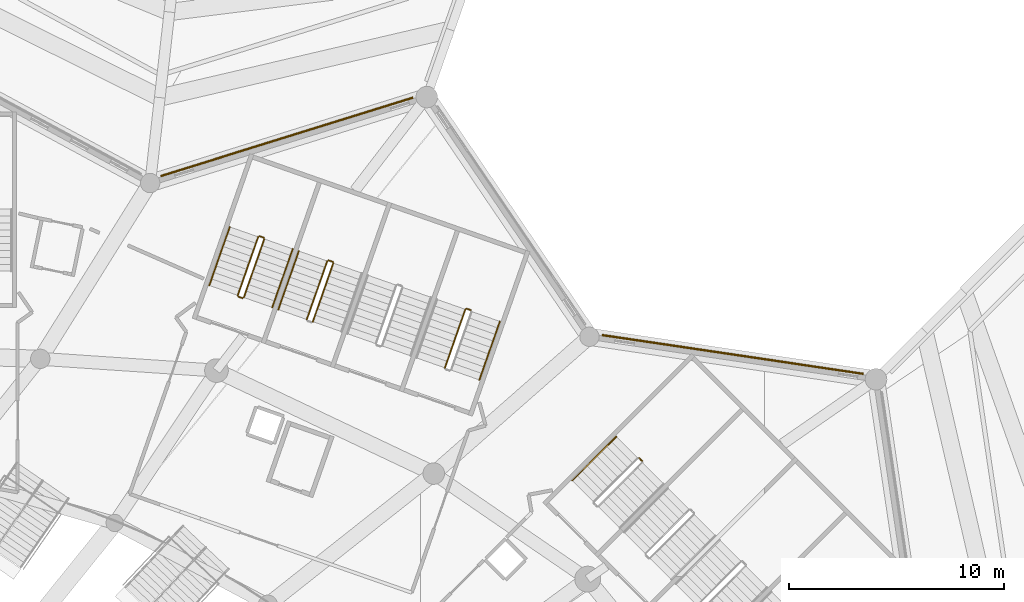
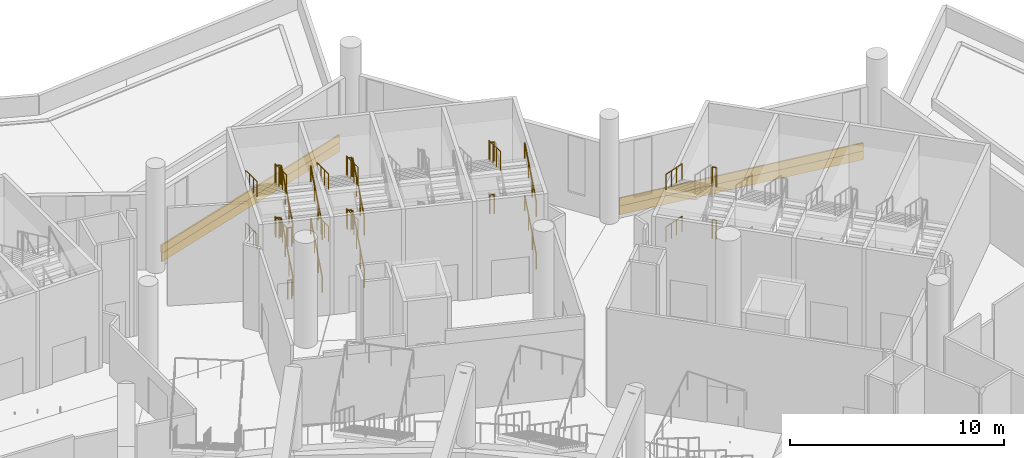
# One storey, part 170 of 173: 29 railings, 4 coverings.
"""IFC4 building model written with IfcOpenShell, lengths in metres."""

import ifcopenshell
import ifcopenshell.guid

model = None  # the IFC model being written
_history = None  # IfcOwnerHistory: only IFC2X3 demands one
_inside = {}  # id of a spatial element -> (the spatial element, [elements in it])
_under = {}  # id of a project, library or spatial element -> (it, [spatial elements below it])
_declared = {}  # id of a project -> (the project, [libraries it declares])
_typed = {}  # id of a type object -> (the type object, [elements of that type])
_made_of = {}  # id of a material, layer set ... -> (it, [elements and type objects made of it])


def new_model(schema):
    """Start an empty IFC model of exactly this schema.

    Asked for "IFC4X3", IfcOpenShell would pick the latest addendum, in which some entities
    have other attributes; the version numbers below select the first issue.
    IFC2X3 requires an IfcOwnerHistory on every rooted entity: one is made here for all.
    """
    global model, _history
    if schema == "IFC4X3":
        model = ifcopenshell.file(schema_version=(4, 3, 0, 0))
    else:
        model = ifcopenshell.file(schema=schema)
    _inside.clear()
    _under.clear()
    _declared.clear()
    _typed.clear()
    _made_of.clear()
    _history = None
    if model.schema == "IFC2X3":
        org = make("IfcOrganization", Name="unknown")
        user = make(
            "IfcPersonAndOrganization",
            ThePerson=make("IfcPerson", FamilyName="unknown"),
            TheOrganization=org,
        )
        app = make(
            "IfcApplication",
            ApplicationDeveloper=org,
            Version="unknown",
            ApplicationFullName="unknown",
            ApplicationIdentifier="unknown",
        )
        _history = make(
            "IfcOwnerHistory",
            OwningUser=user,
            OwningApplication=app,
            ChangeAction="ADDED",
            CreationDate=0,
        )
    return model


def make(cls, **values):
    """One entity of the class cls with the attributes given. An attribute that is None is left unset."""
    return model.create_entity(
        cls, **{name: value for name, value in values.items() if value is not None}
    )


def rooted(cls, **values):
    """An entity with a GlobalId (a new one), such as an element, a storey or a relation."""
    return make(cls, GlobalId=ifcopenshell.guid.new(), OwnerHistory=_history, **values)


def si_unit(unit_type, name, prefix=None):
    """IfcSIUnit, for example si_unit("LENGTHUNIT", "METRE", prefix="MILLI")."""
    return make("IfcSIUnit", UnitType=unit_type, Prefix=prefix, Name=name)


def assignment(units):
    """IfcUnitAssignment: the units of a project."""
    return None if units is None else make("IfcUnitAssignment", Units=units)


def point(xyz):
    """IfcCartesianPoint."""
    return None if xyz is None else make("IfcCartesianPoint", Coordinates=xyz)


def direction(xyz):
    """IfcDirection."""
    return None if xyz is None else make("IfcDirection", DirectionRatios=xyz)


def frame(location, z_axis=None, x_axis=None):
    """IfcAxis2Placement3D, a coordinate frame: its origin and axes. An axis left out is left unset."""
    return make(
        "IfcAxis2Placement3D",
        Location=point(location),
        Axis=direction(z_axis),
        RefDirection=direction(x_axis),
    )


def frame_2d(location, x_axis=None):
    """IfcAxis2Placement2D, a coordinate frame in the plane: its origin and x axis."""
    return make(
        "IfcAxis2Placement2D", Location=point(location), RefDirection=direction(x_axis)
    )


def origin():
    """The frame at (0, 0, 0) with its axes left unset."""
    return frame((0.0, 0.0, 0.0))


def origin_2d():
    """The frame at (0, 0) in the plane with its x axis left unset."""
    return frame_2d((0.0, 0.0))


def place(relative_to, where):
    """IfcLocalPlacement: puts the frame where relative to a parent placement (None: the world)."""
    return make(
        "IfcLocalPlacement", PlacementRelTo=relative_to, RelativePlacement=where
    )


def context(
    kind, dimensions, precision=None, world=None, true_north=None, identifier=None
):
    """IfcGeometricRepresentationContext, for example the 3D "Model" context."""
    return make(
        "IfcGeometricRepresentationContext",
        ContextIdentifier=identifier,
        ContextType=kind,
        CoordinateSpaceDimension=dimensions,
        Precision=precision,
        WorldCoordinateSystem=world,
        TrueNorth=true_north,
    )


def subcontext(parent, identifier, kind, view, scale=None):
    """IfcGeometricRepresentationSubContext, for example "Body" below "Model"."""
    return make(
        "IfcGeometricRepresentationSubContext",
        ContextIdentifier=identifier,
        ContextType=kind,
        ParentContext=parent,
        TargetScale=scale,
        TargetView=view,
    )


def project(units=None, contexts=None):
    """IfcProject with its units and contexts."""
    return rooted(
        "IfcProject",
        Name="project",
        RepresentationContexts=contexts,
        UnitsInContext=assignment(units),
    )


def spatial(cls, under=None, at=None, **own):
    """A site, building, storey or space (cls), placed at a placement, below another one or the project."""
    s = rooted(cls, ObjectPlacement=at, **own)
    if under is not None:
        _under.setdefault(under.id(), (under, []))[1].append(s)
    return s


def profile(cls, at=None, kind="AREA", **sizes):
    """A parametric profile (cls). Its sizes go by their IFC names, for example OverallWidth=200.0."""
    return make(cls, ProfileType=kind, Position=at, **sizes)


def rectangle(**sizes):
    """IfcRectangleProfileDef."""
    return profile("IfcRectangleProfileDef", **sizes)


def circle(**sizes):
    """IfcCircleProfileDef."""
    return profile("IfcCircleProfileDef", **sizes)


def extrude(swept, where, along, depth):
    """IfcExtrudedAreaSolid: the profile swept, set in the frame where, extruded along a direction by depth."""
    return make(
        "IfcExtrudedAreaSolid",
        SweptArea=swept,
        Position=where,
        ExtrudedDirection=direction(along),
        Depth=depth,
    )


def shape(context_of_items, identifier, shape_type, items):
    """IfcShapeRepresentation: the items that make up one representation, for example the "Body"."""
    return make(
        "IfcShapeRepresentation",
        ContextOfItems=context_of_items,
        RepresentationIdentifier=identifier,
        RepresentationType=shape_type,
        Items=items,
    )


def material(Name=None, Category=None):
    """IfcMaterial."""
    return make("IfcMaterial", Name=Name, Category=Category)


def layer(
    of_material, thickness, ventilated=None, Name=None, Category=None, Priority=None
):
    """IfcMaterialLayer: one layer of a wall or slab, of a material (None: an air gap)."""
    return make(
        "IfcMaterialLayer",
        Material=of_material,
        LayerThickness=thickness,
        IsVentilated=ventilated,
        Name=Name,
        Category=Category,
        Priority=Priority,
    )


def layer_set(layers, Name=None):
    """IfcMaterialLayerSet."""
    return make("IfcMaterialLayerSet", MaterialLayers=layers, LayerSetName=Name)


def made_of(thing, what):
    """Note that an element or type object is made of a material, layer set ...; save() writes the relation."""
    if what is not None:
        _made_of.setdefault(what.id(), (what, []))[1].append(thing)
    return thing


def type_object(cls, material=None, **own):
    """A type object (cls), such as IfcWallType, which elements share."""
    return made_of(rooted(cls, **own), material)


def element(
    cls,
    number,
    at=None,
    inside=None,
    cuts=None,
    type_object=None,
    material=None,
    context=None,
    identifier="Body",
    shape_type=None,
    held_by="IfcProductDefinitionShape",
    body=None,
    shapes=None,
    **own,
):
    """One element of the class cls, such as IfcWall. Its Tag is "e" and its number.

    at: its placement. inside: the storey or other place that contains it. cuts: it is an
    opening in that element (IfcRelVoidsElement). A single representation is given by context,
    identifier, shape_type and body (its items); several are given by shapes. held_by: the class
    of the entity that holds the representations. save() writes the other relations.
    """
    e = rooted(cls, Tag="e%d" % number, ObjectPlacement=at, **own)
    if body is not None:
        shapes = [shape(context, identifier, shape_type, body)]
    if shapes is not None:
        e.Representation = make(held_by, Representations=shapes)
    if inside is not None:
        _inside.setdefault(inside.id(), (inside, []))[1].append(e)
    if cuts is not None:
        rooted(
            "IfcRelVoidsElement", RelatingBuildingElement=cuts, RelatedOpeningElement=e
        )
    if type_object is not None:
        _typed.setdefault(type_object.id(), (type_object, []))[1].append(e)
    return made_of(e, material)


def aggregate(whole, parts):
    """IfcRelAggregates: a whole, such as a stair, and the parts it consists of."""
    return rooted("IfcRelAggregates", RelatingObject=whole, RelatedObjects=parts)


def save(model, path):
    """Write the relations noted so far, then the file.

    IfcRelAggregates (storeys below a building ...), IfcRelContainedInSpatialStructure (elements
    in a storey), IfcRelDefinesByType, IfcRelAssociatesMaterial and IfcRelDeclares: one each for
    every whole, place, type object, material and project.
    """
    for whole, parts in _under.values():
        aggregate(whole, parts)
    for where, things in _inside.values():
        rooted(
            "IfcRelContainedInSpatialStructure",
            RelatedElements=things,
            RelatingStructure=where,
        )
    for kind, things in _typed.values():
        rooted("IfcRelDefinesByType", RelatedObjects=things, RelatingType=kind)
    for what, things in _made_of.values():
        rooted("IfcRelAssociatesMaterial", RelatedObjects=things, RelatingMaterial=what)
    for by, libraries in _declared.values():
        rooted("IfcRelDeclares", RelatingContext=by, RelatedDefinitions=libraries)
    model.write(path)


model = new_model("IFC4")

# Units and contexts
model_context = context("Model", 3, precision=1e-05, world=origin(), true_north=direction((0.0, 1.0)))
body_context = subcontext(model_context, "Body", "Model", "MODEL_VIEW")
ifc_project = project(units=[si_unit("LENGTHUNIT", "METRE"), si_unit("AREAUNIT", "SQUARE_METRE"), si_unit("VOLUMEUNIT", "CUBIC_METRE"), si_unit("PLANEANGLEUNIT", "RADIAN"), si_unit("MASSUNIT", "GRAM", prefix="KILO")], contexts=[model_context])

# Site, building, storey
site_placement = place(None, origin())
site = spatial("IfcSite", under=ifc_project, at=site_placement, CompositionType="ELEMENT")
building_placement = place(site_placement, origin())
building = spatial("IfcBuilding", under=site, at=building_placement, Name="Meseta Stadium", CompositionType="ELEMENT")
storey_placement = place(building_placement, frame((0.0, 0.0, 18.0)))
storey = spatial("IfcBuildingStorey", under=building, at=storey_placement, Name="L03", CompositionType="ELEMENT", Elevation=18.0)

# Coverings
ifc_material_1 = material(Name="Guadarrama granite cladding", Category="masonry")
ifc_layer_1 = layer(ifc_material_1, 0.06005859375)
ifc_layer_set_1 = layer_set([ifc_layer_1], Name="Granite plinth cladding 60")
covering_type_1 = type_object("IfcCoveringType", Name="Granite plinth cladding 60", PredefinedType="CLADDING", material=ifc_layer_set_1)
covering_1_placement = place(storey_placement, frame((78.51318359375, 90.319091796875, 0.0), z_axis=(0.0, 0.0, 1.0), x_axis=(0.989158319768, -0.146853050476, 0.0)))
element("IfcCovering", 1, at=covering_1_placement, inside=storey, type_object=covering_type_1, Name="Granite plinth L03 F12", PredefinedType="CLADDING", context=body_context, shape_type="SweptSolid", body=[
    extrude(rectangle(XDim=12.274169921875, YDim=0.06005859375, at=origin_2d()), origin(), (0.0, 0.0, 1.0), 0.5),
])
covering_2_placement = place(storey_placement, frame((57.799560546875, 100.433349609375, 0.0), z_axis=(0.0, 0.0, 1.0), x_axis=(0.954918446294, 0.29686825517, 0.0)))
element("IfcCovering", 2, at=covering_2_placement, inside=storey, type_object=covering_type_1, Name="Granite plinth L03 F14", PredefinedType="CLADDING", context=body_context, shape_type="SweptSolid", body=[
    extrude(rectangle(XDim=12.273193359375, YDim=0.06005859375, at=origin_2d()), origin(), (0.0, 0.0, 1.0), 0.5),
])

# Railings
ifc_material_2 = material(Name="Steel S355", Category="steel")
railing_type_1 = type_object("IfcRailingType", Name="Stair guard 1100", PredefinedType="GUARDRAIL", material=ifc_material_2)
for number, where, name in (
    (3, (74.305419921875, 85.37646484375, 1.5), "ST28 L03 guard 2"),
    (4, (74.305419921875, 85.37646484375, 4.5), "ST28 L03 guard 6"),
):
    element("IfcRailing", number, at=place(storey_placement, frame(where)), inside=storey, type_object=railing_type_1, Name=name, PredefinedType="GUARDRAIL", context=body_context, shape_type="SweptSolid", body=[
        extrude(circle(Radius=0.02392578125, at=origin_2d()), frame((0.0, 0.0, 1.076171875), z_axis=(-0.706496417452, 0.707716618519, 0.0), x_axis=(-0.707716618519, -0.706496417452, 0.0)), (0.0, 0.0, 1.0), 0.2001953125),
        extrude(circle(Radius=0.02099609375, at=origin_2d()), origin(), (0.0, 0.0, 1.0), 1.052001953125),
        extrude(circle(Radius=0.02099609375, at=origin_2d()), frame((-0.141357421875, 0.1416015625, 0.0)), (0.0, 0.0, 1.0), 1.052001953125),
    ])
for number, where, name in (
    (5, (66.342041015625, 92.39013671875, 1.5), "ST29 L03 guard 2"),
    (6, (66.342041015625, 92.39013671875, 4.5), "ST29 L03 guard 6"),
):
    element("IfcRailing", number, at=place(storey_placement, frame(where)), inside=storey, type_object=railing_type_1, Name=name, PredefinedType="GUARDRAIL", context=body_context, shape_type="SweptSolid", body=[
        extrude(circle(Radius=0.02392578125, at=origin_2d()), frame((0.0, 0.0, 1.076171875), z_axis=(-0.943686935281, 0.330839792317, 0.0), x_axis=(-0.330839792317, -0.943686935281, 0.0)), (0.0, 0.0, 1.0), 0.199951171875),
        extrude(circle(Radius=0.02099609375, at=origin_2d()), origin(), (0.0, 0.0, 1.0), 1.052001953125),
        extrude(circle(Radius=0.02099609375, at=origin_2d()), frame((-0.188720703125, 0.066162109375, 0.0)), (0.0, 0.0, 1.0), 1.052001953125),
    ])
railing_1_placement = place(storey_placement, frame((66.089599609375, 92.425537109375, 4.64990234375)))
element("IfcRailing", 7, at=railing_1_placement, inside=storey, type_object=railing_type_1, Name="ST29 L03 guard 7", PredefinedType="GUARDRAIL", context=body_context, shape_type="SweptSolid", body=[
    extrude(circle(Radius=0.02392578125, at=origin_2d()), frame((0.0, 0.0, 1.076171875), z_axis=(-0.299050945451, -0.854628651604, 0.424474262922), x_axis=(0.943882143717, -0.33028245302, 0.0)), (0.0, 0.0, 1.0), 3.1806640625),
    extrude(circle(Radius=0.02099609375, at=origin_2d()), origin(), (0.0, 0.0, 1.0), 1.052001953125),
    extrude(circle(Radius=0.02099609375, at=origin_2d()), frame((-0.317138671875, -0.906005859375, 0.449951171875)), (0.0, 0.0, 1.0), 1.052001953125),
    extrude(circle(Radius=0.02099609375, at=origin_2d()), frame((-0.634033203125, -1.812255859375, 0.900146484375)), (0.0, 0.0, 1.0), 1.052001953125),
    extrude(circle(Radius=0.02099609375, at=origin_2d()), frame((-0.951171875, -2.71826171875, 1.35009765625)), (0.0, 0.0, 1.0), 1.052001953125),
])
railing_2_placement = place(storey_placement, frame((59.003173828125, 91.85400390625, 0.14990234375)))
element("IfcRailing", 8, at=railing_2_placement, inside=storey, type_object=railing_type_1, Name="ST31 L03 guard 1", PredefinedType="GUARDRAIL", context=body_context, shape_type="SweptSolid", body=[
    extrude(circle(Radius=0.02392578125, at=origin_2d()), frame((0.0, 0.0, 1.076171875), z_axis=(0.299031328765, 0.854649344405, 0.42444641891), x_axis=(-0.943891390388, 0.330256026668, 0.0)), (0.0, 0.0, 1.0), 3.180908203125),
    extrude(circle(Radius=0.02099609375, at=origin_2d()), origin(), (0.0, 0.0, 1.0), 1.052001953125),
    extrude(circle(Radius=0.02099609375, at=origin_2d()), frame((0.317138671875, 0.90625, 0.449951171875)), (0.0, 0.0, 1.0), 1.052001953125),
    extrude(circle(Radius=0.02099609375, at=origin_2d()), frame((0.634033203125, 1.812255859375, 0.900146484375)), (0.0, 0.0, 1.0), 1.052001953125),
    extrude(circle(Radius=0.02099609375, at=origin_2d()), frame((0.951171875, 2.718505859375, 1.35009765625)), (0.0, 0.0, 1.0), 1.052001953125),
])
railing_3_placement = place(storey_placement, frame((59.923828125, 94.63623046875, 1.5)))
element("IfcRailing", 9, at=railing_3_placement, inside=storey, type_object=railing_type_1, Name="ST31 L03 guard 2", PredefinedType="GUARDRAIL", context=body_context, shape_type="SweptSolid", body=[
    extrude(circle(Radius=0.02392578125, at=origin_2d()), frame((0.0, 0.0, 1.076171875), z_axis=(-0.944200181446, 0.329372156318, 0.0), x_axis=(-0.329372156318, -0.944200181446, 0.0)), (0.0, 0.0, 1.0), 0.2001953125),
    extrude(circle(Radius=0.02099609375, at=origin_2d()), origin(), (0.0, 0.0, 1.0), 1.052001953125),
    extrude(circle(Radius=0.02099609375, at=origin_2d()), frame((-0.18896484375, 0.06591796875, 0.0)), (0.0, 0.0, 1.0), 1.052001953125),
])
railing_4_placement = place(storey_placement, frame((59.671142578125, 94.67138671875, 1.64990234375)))
element("IfcRailing", 10, at=railing_4_placement, inside=storey, type_object=railing_type_1, Name="ST31 L03 guard 3", PredefinedType="GUARDRAIL", context=body_context, shape_type="SweptSolid", body=[
    extrude(circle(Radius=0.02392578125, at=origin_2d()), frame((0.0, 0.0, 1.076171875), z_axis=(-0.299050945451, -0.854628651604, 0.424474262922), x_axis=(0.943882143717, -0.33028245302, 0.0)), (0.0, 0.0, 1.0), 3.1806640625),
    extrude(circle(Radius=0.02099609375, at=origin_2d()), origin(), (0.0, 0.0, 1.0), 1.052001953125),
    extrude(circle(Radius=0.02099609375, at=origin_2d()), frame((-0.317138671875, -0.906005859375, 0.449951171875)), (0.0, 0.0, 1.0), 1.052001953125),
    extrude(circle(Radius=0.02099609375, at=origin_2d()), frame((-0.634033203125, -1.812255859375, 0.900146484375)), (0.0, 0.0, 1.0), 1.052001953125),
    extrude(circle(Radius=0.02099609375, at=origin_2d()), frame((-0.951171875, -2.71826171875, 1.35009765625)), (0.0, 0.0, 1.0), 1.052001953125),
])
railing_5_placement = place(storey_placement, frame((59.003173828125, 91.85400390625, 3.14990234375)))
element("IfcRailing", 11, at=railing_5_placement, inside=storey, type_object=railing_type_1, Name="ST31 L03 guard 5", PredefinedType="GUARDRAIL", context=body_context, shape_type="SweptSolid", body=[
    extrude(circle(Radius=0.02392578125, at=origin_2d()), frame((0.0, 0.0, 1.076171875), z_axis=(0.299031328765, 0.854649344405, 0.42444641891), x_axis=(-0.943891390388, 0.330256026668, 0.0)), (0.0, 0.0, 1.0), 3.180908203125),
    extrude(circle(Radius=0.02099609375, at=origin_2d()), origin(), (0.0, 0.0, 1.0), 1.052001953125),
    extrude(circle(Radius=0.02099609375, at=origin_2d()), frame((0.317138671875, 0.90625, 0.449951171875)), (0.0, 0.0, 1.0), 1.052001953125),
    extrude(circle(Radius=0.02099609375, at=origin_2d()), frame((0.634033203125, 1.812255859375, 0.900146484375)), (0.0, 0.0, 1.0), 1.052001953125),
    extrude(circle(Radius=0.02099609375, at=origin_2d()), frame((0.951171875, 2.718505859375, 1.35009765625)), (0.0, 0.0, 1.0), 1.052001953125),
])
railing_6_placement = place(storey_placement, frame((59.923828125, 94.63623046875, 4.5)))
element("IfcRailing", 12, at=railing_6_placement, inside=storey, type_object=railing_type_1, Name="ST31 L03 guard 6", PredefinedType="GUARDRAIL", context=body_context, shape_type="SweptSolid", body=[
    extrude(circle(Radius=0.02392578125, at=origin_2d()), frame((0.0, 0.0, 1.076171875), z_axis=(-0.944200181446, 0.329372156318, 0.0), x_axis=(-0.329372156318, -0.944200181446, 0.0)), (0.0, 0.0, 1.0), 0.2001953125),
    extrude(circle(Radius=0.02099609375, at=origin_2d()), origin(), (0.0, 0.0, 1.0), 1.052001953125),
    extrude(circle(Radius=0.02099609375, at=origin_2d()), frame((-0.18896484375, 0.06591796875, 0.0)), (0.0, 0.0, 1.0), 1.052001953125),
])
railing_7_placement = place(storey_placement, frame((59.671142578125, 94.67138671875, 4.64990234375)))
element("IfcRailing", 13, at=railing_7_placement, inside=storey, type_object=railing_type_1, Name="ST31 L03 guard 7", PredefinedType="GUARDRAIL", context=body_context, shape_type="SweptSolid", body=[
    extrude(circle(Radius=0.02392578125, at=origin_2d()), frame((0.0, 0.0, 1.076171875), z_axis=(-0.299050945451, -0.854628651604, 0.424474262922), x_axis=(0.943882143717, -0.33028245302, 0.0)), (0.0, 0.0, 1.0), 3.1806640625),
    extrude(circle(Radius=0.02099609375, at=origin_2d()), origin(), (0.0, 0.0, 1.0), 1.052001953125),
    extrude(circle(Radius=0.02099609375, at=origin_2d()), frame((-0.317138671875, -0.906005859375, 0.449951171875)), (0.0, 0.0, 1.0), 1.052001953125),
    extrude(circle(Radius=0.02099609375, at=origin_2d()), frame((-0.634033203125, -1.812255859375, 0.900146484375)), (0.0, 0.0, 1.0), 1.052001953125),
    extrude(circle(Radius=0.02099609375, at=origin_2d()), frame((-0.951171875, -2.71826171875, 1.35009765625)), (0.0, 0.0, 1.0), 1.052001953125),
])
railing_8_placement = place(storey_placement, frame((55.7939453125, 92.97705078125, 0.14990234375)))
element("IfcRailing", 14, at=railing_8_placement, inside=storey, type_object=railing_type_1, Name="ST32 L03 guard 1", PredefinedType="GUARDRAIL", context=body_context, shape_type="SweptSolid", body=[
    extrude(circle(Radius=0.02392578125, at=origin_2d()), frame((0.0, 0.0, 1.076171875), z_axis=(0.299050945451, 0.854628651604, 0.424474262922), x_axis=(-0.943882143717, 0.33028245302, 0.0)), (0.0, 0.0, 1.0), 3.1806640625),
    extrude(circle(Radius=0.02099609375, at=origin_2d()), origin(), (0.0, 0.0, 1.0), 1.052001953125),
    extrude(circle(Radius=0.02099609375, at=origin_2d()), frame((0.317138671875, 0.906005859375, 0.449951171875)), (0.0, 0.0, 1.0), 1.052001953125),
    extrude(circle(Radius=0.02099609375, at=origin_2d()), frame((0.634033203125, 1.812255859375, 0.900146484375)), (0.0, 0.0, 1.0), 1.052001953125),
    extrude(circle(Radius=0.02099609375, at=origin_2d()), frame((0.951171875, 2.71826171875, 1.35009765625)), (0.0, 0.0, 1.0), 1.052001953125),
])
railing_9_placement = place(storey_placement, frame((56.714599609375, 95.759033203125, 1.5)))
element("IfcRailing", 15, at=railing_9_placement, inside=storey, type_object=railing_type_1, Name="ST32 L03 guard 2", PredefinedType="GUARDRAIL", context=body_context, shape_type="SweptSolid", body=[
    extrude(circle(Radius=0.02392578125, at=origin_2d()), frame((0.0, 0.0, 1.076171875), z_axis=(-0.943820328543, 0.330459055601, 0.0), x_axis=(-0.330459055601, -0.943820328543, 0.0)), (0.0, 0.0, 1.0), 0.2001953125),
    extrude(circle(Radius=0.02099609375, at=origin_2d()), origin(), (0.0, 0.0, 1.0), 1.052001953125),
    extrude(circle(Radius=0.02099609375, at=origin_2d()), frame((-0.18896484375, 0.066162109375, 0.0)), (0.0, 0.0, 1.0), 1.052001953125),
])
railing_10_placement = place(storey_placement, frame((56.462158203125, 95.79443359375, 1.64990234375)))
element("IfcRailing", 16, at=railing_10_placement, inside=storey, type_object=railing_type_1, Name="ST32 L03 guard 3", PredefinedType="GUARDRAIL", context=body_context, shape_type="SweptSolid", body=[
    extrude(circle(Radius=0.02392578125, at=origin_2d()), frame((0.0, 0.0, 1.076171875), z_axis=(-0.299120836879, -0.854609032027, 0.424464518332), x_axis=(0.943855713099, -0.330357976823, 0.0)), (0.0, 0.0, 1.0), 3.1806640625),
    extrude(circle(Radius=0.02099609375, at=origin_2d()), origin(), (0.0, 0.0, 1.0), 1.052001953125),
    extrude(circle(Radius=0.02099609375, at=origin_2d()), frame((-0.317138671875, -0.906005859375, 0.449951171875)), (0.0, 0.0, 1.0), 1.052001953125),
    extrude(circle(Radius=0.02099609375, at=origin_2d()), frame((-0.63427734375, -1.812255859375, 0.900146484375)), (0.0, 0.0, 1.0), 1.052001953125),
    extrude(circle(Radius=0.02099609375, at=origin_2d()), frame((-0.951416015625, -2.71826171875, 1.35009765625)), (0.0, 0.0, 1.0), 1.052001953125),
])
railing_11_placement = place(storey_placement, frame((55.730224609375, 92.9462890625, 3.0)))
element("IfcRailing", 17, at=railing_11_placement, inside=storey, type_object=railing_type_1, Name="ST32 L03 guard 4", PredefinedType="GUARDRAIL", context=body_context, shape_type="SweptSolid", body=[
    extrude(circle(Radius=0.02392578125, at=origin_2d()), frame((0.0, 0.0, 1.076171875), z_axis=(-0.943686935281, 0.330839792317, 0.0), x_axis=(-0.330839792317, -0.943686935281, 0.0)), (0.0, 0.0, 1.0), 0.199951171875),
    extrude(circle(Radius=0.02099609375, at=origin_2d()), origin(), (0.0, 0.0, 1.0), 1.052001953125),
    extrude(circle(Radius=0.02099609375, at=origin_2d()), frame((-0.188720703125, 0.066162109375, 0.0)), (0.0, 0.0, 1.0), 1.052001953125),
])
railing_12_placement = place(storey_placement, frame((55.7939453125, 92.97705078125, 3.14990234375)))
element("IfcRailing", 18, at=railing_12_placement, inside=storey, type_object=railing_type_1, Name="ST32 L03 guard 5", PredefinedType="GUARDRAIL", context=body_context, shape_type="SweptSolid", body=[
    extrude(circle(Radius=0.02392578125, at=origin_2d()), frame((0.0, 0.0, 1.076171875), z_axis=(0.299050945451, 0.854628651604, 0.424474262922), x_axis=(-0.943882143717, 0.33028245302, 0.0)), (0.0, 0.0, 1.0), 3.1806640625),
    extrude(circle(Radius=0.02099609375, at=origin_2d()), origin(), (0.0, 0.0, 1.0), 1.052001953125),
    extrude(circle(Radius=0.02099609375, at=origin_2d()), frame((0.317138671875, 0.906005859375, 0.449951171875)), (0.0, 0.0, 1.0), 1.052001953125),
    extrude(circle(Radius=0.02099609375, at=origin_2d()), frame((0.634033203125, 1.812255859375, 0.900146484375)), (0.0, 0.0, 1.0), 1.052001953125),
    extrude(circle(Radius=0.02099609375, at=origin_2d()), frame((0.951171875, 2.71826171875, 1.35009765625)), (0.0, 0.0, 1.0), 1.052001953125),
])
railing_13_placement = place(storey_placement, frame((56.714599609375, 95.759033203125, 4.5)))
element("IfcRailing", 19, at=railing_13_placement, inside=storey, type_object=railing_type_1, Name="ST32 L03 guard 6", PredefinedType="GUARDRAIL", context=body_context, shape_type="SweptSolid", body=[
    extrude(circle(Radius=0.02392578125, at=origin_2d()), frame((0.0, 0.0, 1.076171875), z_axis=(-0.943820328543, 0.330459055601, 0.0), x_axis=(-0.330459055601, -0.943820328543, 0.0)), (0.0, 0.0, 1.0), 0.2001953125),
    extrude(circle(Radius=0.02099609375, at=origin_2d()), origin(), (0.0, 0.0, 1.0), 1.052001953125),
    extrude(circle(Radius=0.02099609375, at=origin_2d()), frame((-0.18896484375, 0.066162109375, 0.0)), (0.0, 0.0, 1.0), 1.052001953125),
])
railing_14_placement = place(storey_placement, frame((56.462158203125, 95.79443359375, 4.64990234375)))
element("IfcRailing", 20, at=railing_14_placement, inside=storey, type_object=railing_type_1, Name="ST32 L03 guard 7", PredefinedType="GUARDRAIL", context=body_context, shape_type="SweptSolid", body=[
    extrude(circle(Radius=0.02392578125, at=origin_2d()), frame((0.0, 0.0, 1.076171875), z_axis=(-0.299120836879, -0.854609032027, 0.424464518332), x_axis=(0.943855713099, -0.330357976823, 0.0)), (0.0, 0.0, 1.0), 3.1806640625),
    extrude(circle(Radius=0.02099609375, at=origin_2d()), origin(), (0.0, 0.0, 1.0), 1.052001953125),
    extrude(circle(Radius=0.02099609375, at=origin_2d()), frame((-0.317138671875, -0.906005859375, 0.449951171875)), (0.0, 0.0, 1.0), 1.052001953125),
    extrude(circle(Radius=0.02099609375, at=origin_2d()), frame((-0.63427734375, -1.812255859375, 0.900146484375)), (0.0, 0.0, 1.0), 1.052001953125),
    extrude(circle(Radius=0.02099609375, at=origin_2d()), frame((-0.951416015625, -2.71826171875, 1.35009765625)), (0.0, 0.0, 1.0), 1.052001953125),
])
railing_15_placement = place(storey_placement, frame((55.730224609375, 92.9462890625, 0.0)))
element("IfcRailing", 21, at=railing_15_placement, inside=storey, type_object=railing_type_1, Name="ST32 L03 guard 8", PredefinedType="GUARDRAIL", context=body_context, shape_type="SweptSolid", body=[
    extrude(circle(Radius=0.02392578125, at=origin_2d()), frame((0.0, 0.0, 1.076171875), z_axis=(-0.943686935281, 0.330839792317, 0.0), x_axis=(-0.330839792317, -0.943686935281, 0.0)), (0.0, 0.0, 1.0), 0.199951171875),
    extrude(circle(Radius=0.02099609375, at=origin_2d()), origin(), (0.0, 0.0, 1.0), 1.052001953125),
    extrude(circle(Radius=0.02099609375, at=origin_2d()), frame((-0.188720703125, 0.066162109375, 0.0)), (0.0, 0.0, 1.0), 1.052001953125),
])
ifc_material_3 = material(Name="Steel S355", Category="steel")
railing_type_2 = type_object("IfcRailingType", Name="Stair handrail 900", PredefinedType="HANDRAIL", material=ifc_material_3)
for number, where, name in (
    (22, (73.103515625, 86.5078125, 1.64990234375), "ST28 L03 handrail 2"),
    (23, (73.103515625, 86.5078125, 4.64990234375), "ST28 L03 handrail 4"),
):
    element("IfcRailing", number, at=place(storey_placement, frame(where)), inside=storey, type_object=railing_type_2, Name=name, PredefinedType="HANDRAIL", context=body_context, shape_type="SweptSolid", body=[
        extrude(circle(Radius=0.02392578125, at=origin_2d()), frame((0.0, 0.0, 0.8759765625), z_axis=(-0.640287970486, -0.640211215754, 0.424453665402), x_axis=(0.707064395047, -0.707149164786, 0.0)), (0.0, 0.0, 1.0), 3.180908203125),
        extrude(circle(Radius=0.02099609375, at=origin_2d()), origin(), (0.0, 0.0, 1.0), 0.851806640625),
        extrude(circle(Radius=0.02099609375, at=origin_2d()), frame((-0.678955078125, -0.6787109375, 0.449951171875)), (0.0, 0.0, 1.0), 0.851806640625),
        extrude(circle(Radius=0.02099609375, at=origin_2d()), frame((-1.357666015625, -1.357666015625, 0.900146484375)), (0.0, 0.0, 1.0), 0.851806640625),
        extrude(circle(Radius=0.02099609375, at=origin_2d()), frame((-2.03662109375, -2.036376953125, 1.35009765625)), (0.0, 0.0, 1.0), 0.851806640625),
    ])
for number, where, name in (
    (24, (66.7431640625, 89.145751953125, 0.14990234375), "ST29 L03 handrail 1"),
    (25, (66.7431640625, 89.145751953125, 3.14990234375), "ST29 L03 handrail 3"),
):
    element("IfcRailing", number, at=place(storey_placement, frame(where)), inside=storey, type_object=railing_type_2, Name=name, PredefinedType="HANDRAIL", context=body_context, shape_type="SweptSolid", body=[
        extrude(circle(Radius=0.02392578125, at=origin_2d()), frame((0.0, 0.0, 0.8759765625), z_axis=(0.299050945451, 0.854628651604, 0.424474262922), x_axis=(-0.943882143717, 0.33028245302, 0.0)), (0.0, 0.0, 1.0), 3.1806640625),
        extrude(circle(Radius=0.02099609375, at=origin_2d()), origin(), (0.0, 0.0, 1.0), 0.851806640625),
        extrude(circle(Radius=0.02099609375, at=origin_2d()), frame((0.317138671875, 0.906005859375, 0.449951171875)), (0.0, 0.0, 1.0), 0.851806640625),
        extrude(circle(Radius=0.02099609375, at=origin_2d()), frame((0.634033203125, 1.812255859375, 0.900146484375)), (0.0, 0.0, 1.0), 0.851806640625),
        extrude(circle(Radius=0.02099609375, at=origin_2d()), frame((0.951171875, 2.71826171875, 1.35009765625)), (0.0, 0.0, 1.0), 0.851806640625),
    ])
for number, where, name in (
    (26, (58.349853515625, 95.1337890625, 1.64990234375), "ST31 L03 handrail 2"),
    (27, (58.349853515625, 95.1337890625, 4.64990234375), "ST31 L03 handrail 4"),
):
    element("IfcRailing", number, at=place(storey_placement, frame(where)), inside=storey, type_object=railing_type_2, Name=name, PredefinedType="HANDRAIL", context=body_context, shape_type="SweptSolid", body=[
        extrude(circle(Radius=0.02392578125, at=origin_2d()), frame((0.0, 0.0, 0.8759765625), z_axis=(-0.299050945451, -0.854628651604, 0.424474262922), x_axis=(0.943882143717, -0.33028245302, 0.0)), (0.0, 0.0, 1.0), 3.1806640625),
        extrude(circle(Radius=0.02099609375, at=origin_2d()), origin(), (0.0, 0.0, 1.0), 0.851806640625),
        extrude(circle(Radius=0.02099609375, at=origin_2d()), frame((-0.317138671875, -0.906005859375, 0.449951171875)), (0.0, 0.0, 1.0), 0.851806640625),
        extrude(circle(Radius=0.02099609375, at=origin_2d()), frame((-0.634033203125, -1.812255859375, 0.900146484375)), (0.0, 0.0, 1.0), 0.851806640625),
        extrude(circle(Radius=0.02099609375, at=origin_2d()), frame((-0.951171875, -2.71826171875, 1.35009765625)), (0.0, 0.0, 1.0), 0.851806640625),
    ])
railing_16_placement = place(storey_placement, frame((57.115478515625, 92.5146484375, 0.14990234375)))
element("IfcRailing", 28, at=railing_16_placement, inside=storey, type_object=railing_type_2, Name="ST32 L03 handrail 1", PredefinedType="HANDRAIL", context=body_context, shape_type="SweptSolid", body=[
    extrude(circle(Radius=0.02392578125, at=origin_2d()), frame((0.0, 0.0, 0.8759765625), z_axis=(0.299050945451, 0.854628651604, 0.424474262922), x_axis=(-0.943882143717, 0.33028245302, 0.0)), (0.0, 0.0, 1.0), 3.1806640625),
    extrude(circle(Radius=0.02099609375, at=origin_2d()), origin(), (0.0, 0.0, 1.0), 0.851806640625),
    extrude(circle(Radius=0.02099609375, at=origin_2d()), frame((0.317138671875, 0.906005859375, 0.449951171875)), (0.0, 0.0, 1.0), 0.851806640625),
    extrude(circle(Radius=0.02099609375, at=origin_2d()), frame((0.634033203125, 1.812255859375, 0.900146484375)), (0.0, 0.0, 1.0), 0.851806640625),
    extrude(circle(Radius=0.02099609375, at=origin_2d()), frame((0.951171875, 2.71826171875, 1.35009765625)), (0.0, 0.0, 1.0), 0.851806640625),
])
railing_17_placement = place(storey_placement, frame((55.140625, 96.2568359375, 1.64990234375)))
element("IfcRailing", 29, at=railing_17_placement, inside=storey, type_object=railing_type_2, Name="ST32 L03 handrail 2", PredefinedType="HANDRAIL", context=body_context, shape_type="SweptSolid", body=[
    extrude(circle(Radius=0.02392578125, at=origin_2d()), frame((0.0, 0.0, 0.8759765625), z_axis=(-0.299031328765, -0.854649344405, 0.42444641891), x_axis=(0.943891390388, -0.330256026668, 0.0)), (0.0, 0.0, 1.0), 3.180908203125),
    extrude(circle(Radius=0.02099609375, at=origin_2d()), origin(), (0.0, 0.0, 1.0), 0.851806640625),
    extrude(circle(Radius=0.02099609375, at=origin_2d()), frame((-0.317138671875, -0.90625, 0.449951171875)), (0.0, 0.0, 1.0), 0.851806640625),
    extrude(circle(Radius=0.02099609375, at=origin_2d()), frame((-0.634033203125, -1.812255859375, 0.900146484375)), (0.0, 0.0, 1.0), 0.851806640625),
    extrude(circle(Radius=0.02099609375, at=origin_2d()), frame((-0.951171875, -2.718505859375, 1.35009765625)), (0.0, 0.0, 1.0), 0.851806640625),
])
railing_18_placement = place(storey_placement, frame((57.115478515625, 92.5146484375, 3.14990234375)))
element("IfcRailing", 30, at=railing_18_placement, inside=storey, type_object=railing_type_2, Name="ST32 L03 handrail 3", PredefinedType="HANDRAIL", context=body_context, shape_type="SweptSolid", body=[
    extrude(circle(Radius=0.02392578125, at=origin_2d()), frame((0.0, 0.0, 0.8759765625), z_axis=(0.299050945451, 0.854628651604, 0.424474262922), x_axis=(-0.943882143717, 0.33028245302, 0.0)), (0.0, 0.0, 1.0), 3.1806640625),
    extrude(circle(Radius=0.02099609375, at=origin_2d()), origin(), (0.0, 0.0, 1.0), 0.851806640625),
    extrude(circle(Radius=0.02099609375, at=origin_2d()), frame((0.317138671875, 0.906005859375, 0.449951171875)), (0.0, 0.0, 1.0), 0.851806640625),
    extrude(circle(Radius=0.02099609375, at=origin_2d()), frame((0.634033203125, 1.812255859375, 0.900146484375)), (0.0, 0.0, 1.0), 0.851806640625),
    extrude(circle(Radius=0.02099609375, at=origin_2d()), frame((0.951171875, 2.71826171875, 1.35009765625)), (0.0, 0.0, 1.0), 0.851806640625),
])
railing_19_placement = place(storey_placement, frame((55.140625, 96.2568359375, 4.64990234375)))
element("IfcRailing", 31, at=railing_19_placement, inside=storey, type_object=railing_type_2, Name="ST32 L03 handrail 4", PredefinedType="HANDRAIL", context=body_context, shape_type="SweptSolid", body=[
    extrude(circle(Radius=0.02392578125, at=origin_2d()), frame((0.0, 0.0, 0.8759765625), z_axis=(-0.299031328765, -0.854649344405, 0.42444641891), x_axis=(0.943891390388, -0.330256026668, 0.0)), (0.0, 0.0, 1.0), 3.180908203125),
    extrude(circle(Radius=0.02099609375, at=origin_2d()), origin(), (0.0, 0.0, 1.0), 0.851806640625),
    extrude(circle(Radius=0.02099609375, at=origin_2d()), frame((-0.317138671875, -0.90625, 0.449951171875)), (0.0, 0.0, 1.0), 0.851806640625),
    extrude(circle(Radius=0.02099609375, at=origin_2d()), frame((-0.634033203125, -1.812255859375, 0.900146484375)), (0.0, 0.0, 1.0), 0.851806640625),
    extrude(circle(Radius=0.02099609375, at=origin_2d()), frame((-0.951171875, -2.718505859375, 1.35009765625)), (0.0, 0.0, 1.0), 0.851806640625),
])

# Coverings
ifc_material_4 = material(Name="Precast concrete C40/50, terracotta pigment", Category="masonry")
ifc_layer_2 = layer(ifc_material_4, 0.080078125)
ifc_layer_set_2 = layer_set([ifc_layer_2], Name="Precast concrete C40/50, terracotta pigment")
covering_type_2 = type_object("IfcCoveringType", Name="Terracotta precast band 80", PredefinedType="CLADDING", material=ifc_layer_set_2)
covering_3_placement = place(storey_placement, frame((78.514892578125, 90.3291015625, 0.5), z_axis=(0.0, 0.0, 1.0), x_axis=(0.989158319768, -0.146853050476, 0.0)))
element("IfcCovering", 32, at=covering_3_placement, inside=storey, type_object=covering_type_2, Name="Terracotta band L03 F12", PredefinedType="CLADDING", context=body_context, shape_type="SweptSolid", body=[
    extrude(rectangle(XDim=12.274169921875, YDim=0.080078125, at=origin_2d()), origin(), (0.0, 0.0, 1.0), 0.449951171875),
])
covering_4_placement = place(storey_placement, frame((57.796630859375, 100.44287109375, 0.5), z_axis=(0.0, 0.0, 1.0), x_axis=(0.954918446294, 0.29686825517, 0.0)))
element("IfcCovering", 33, at=covering_4_placement, inside=storey, type_object=covering_type_2, Name="Terracotta band L03 F14", PredefinedType="CLADDING", context=body_context, shape_type="SweptSolid", body=[
    extrude(rectangle(XDim=12.273193359375, YDim=0.080078125, at=origin_2d()), origin(), (0.0, 0.0, 1.0), 0.449951171875),
])

save(model, "model.ifc")
